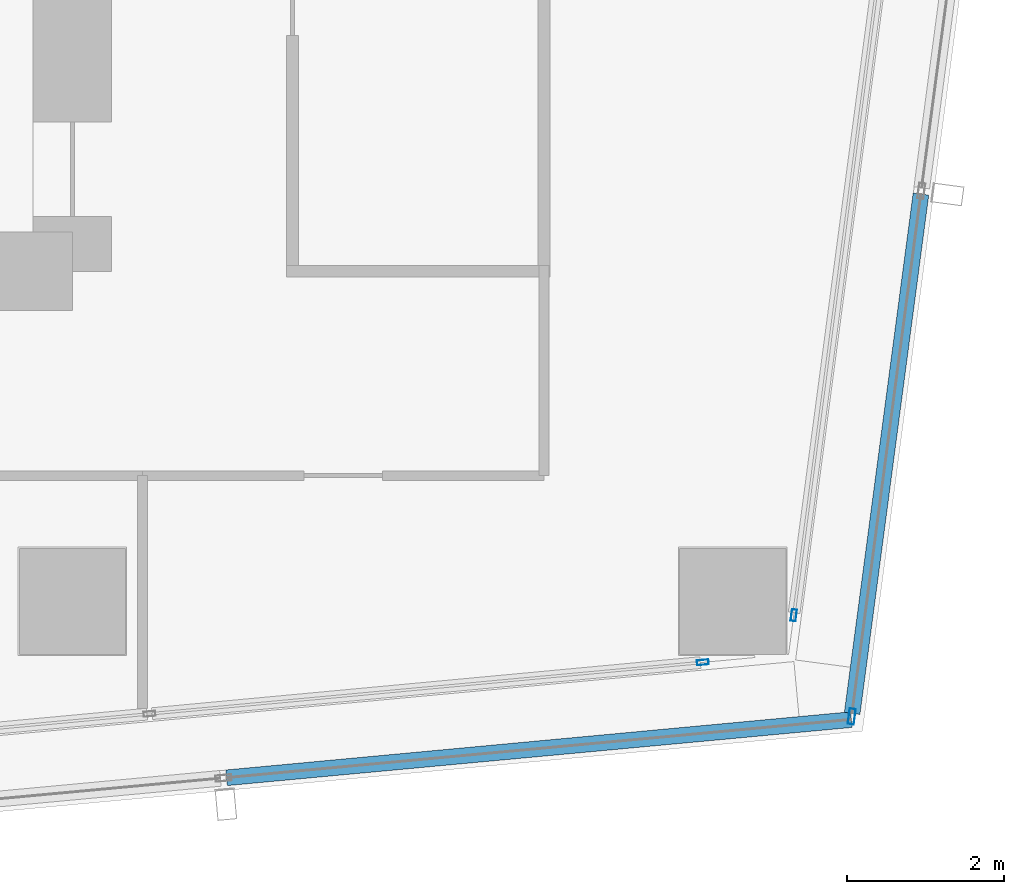
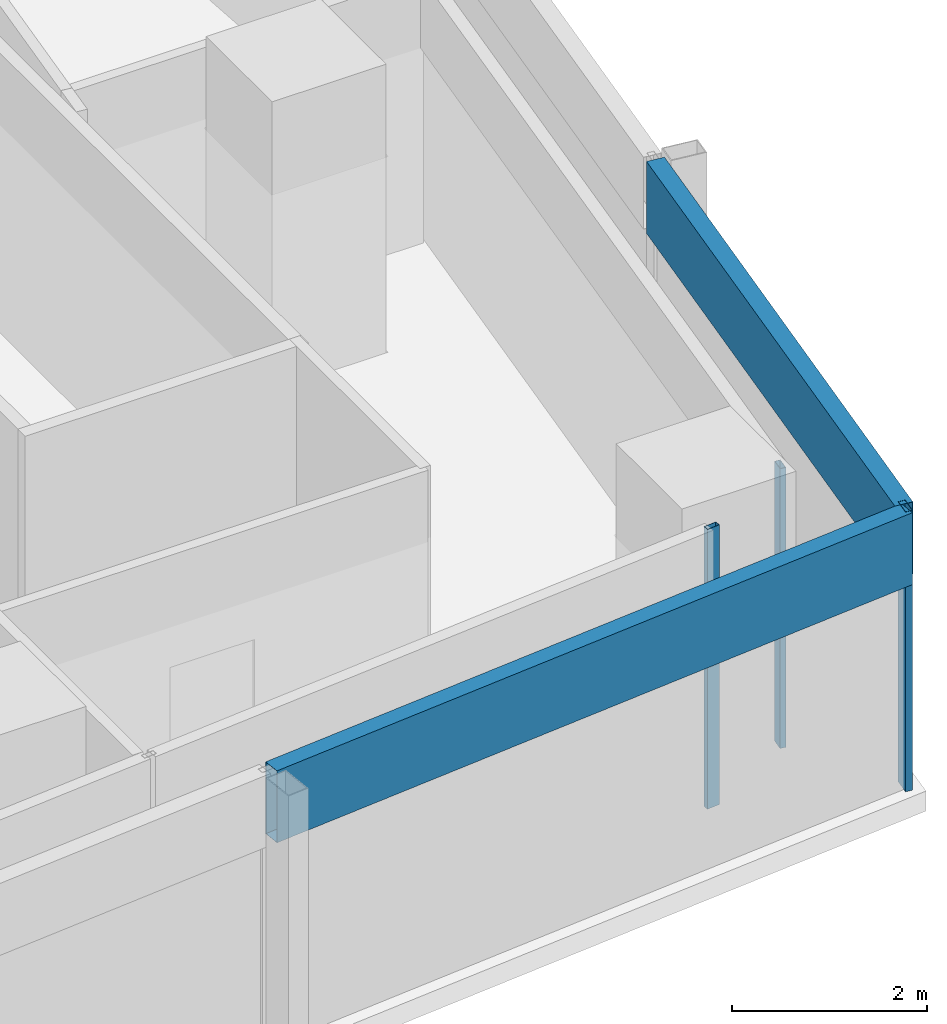
# One storey, part 12 of 38: 5 members, 4 elements without a shape of their own.
"""IFC4 building model written with IfcOpenShell, lengths in metres."""

from ifc_helpers import new_model, si_unit, direction, frame, origin, origin_2d, place, context, subcontext, project, spatial, hollow_rectangle, extrude, material, material_profile, profile_set, type_object, element, aggregate, save


model = new_model("IFC4")

# Units and contexts
model_context = context("Model", 3, precision=1e-05, world=origin(), true_north=direction((0.0, 1.0)))
body_context = subcontext(model_context, "Body", "Model", "MODEL_VIEW")
ifc_project = project(units=[si_unit("LENGTHUNIT", "METRE"), si_unit("AREAUNIT", "SQUARE_METRE"), si_unit("VOLUMEUNIT", "CUBIC_METRE"), si_unit("PLANEANGLEUNIT", "RADIAN"), si_unit("MASSUNIT", "GRAM", prefix="KILO")], contexts=[model_context])

# Site, building, storey
site_placement = place(None, origin())
site = spatial("IfcSite", under=ifc_project, at=site_placement, CompositionType="ELEMENT")
building_placement = place(site_placement, origin())
building = spatial("IfcBuilding", under=site, at=building_placement, Name="Rekha Terrace Tower", CompositionType="ELEMENT")
storey_placement = place(building_placement, frame((0.0, 0.0, 198.949951171875)))
storey = spatial("IfcBuildingStorey", under=building, at=storey_placement, Name="L50", CompositionType="ELEMENT", Elevation=198.949951171875)

# Curtain wall, member
ifc_material_1 = material(Name="Aluminium framing", Category="aluminium")
curtain_wall_type_1 = type_object("IfcCurtainWallType", Name="CW1 double skin inner glazing", PredefinedType="USERDEFINED", material=ifc_material_1)
curtain_wall_1_placement = place(storey_placement, origin())
curtain_wall_1 = element("IfcCurtainWall", 1, at=curtain_wall_1_placement, inside=storey, type_object=curtain_wall_type_1, Name="CW1 double skin inner glazing", ObjectType="DOUBLE SKIN INNER GLAZING", PredefinedType="USERDEFINED")
ifc_material_2 = material(Name="Aluminium mullion section", Category="aluminium")
ifc_material_profile_1 = material_profile(ifc_material_2, hollow_rectangle(XDim=0.06494140625, YDim=0.14990234375, WallThickness=0.00390625, at=origin_2d()), Name="AL RHS 65x150")
ifc_profile_set_1 = profile_set([ifc_material_profile_1], Name="Aluminium mullion section")
member_type_1 = type_object("IfcMemberType", Name="CW1 mullion RHS 65 x 150", PredefinedType="MULLION", material=ifc_profile_set_1)
member_1_placement = place(storey_placement, frame((58.419677734375, 16.025634765625, 0.0), z_axis=(0.0, 0.0, 1.0), x_axis=(-0.092708869564, 0.995693258742, 0.0)))
member_1 = element("IfcMember", 2, at=member_1_placement, type_object=member_type_1, Name="CW1 mullion 3", PredefinedType="MULLION", context=body_context, shape_type="SweptSolid", body=[
    extrude(hollow_rectangle(XDim=0.06494140625, YDim=0.14990234375, WallThickness=0.00390625, at=origin_2d()), origin(), (0.0, 0.0, 1.0), 3.5),
])
aggregate(curtain_wall_1, [member_1])

curtain_wall_2_placement = place(storey_placement, origin())
curtain_wall_2 = element("IfcCurtainWall", 3, at=curtain_wall_2_placement, inside=storey, type_object=curtain_wall_type_1, Name="CW1 double skin inner glazing", ObjectType="DOUBLE SKIN INNER GLAZING", PredefinedType="USERDEFINED")
member_2_placement = place(storey_placement, frame((59.576171875, 16.624755859375, 0.0), z_axis=(0.0, 0.0, 1.0), x_axis=(-0.991342203185, 0.131303603093, 0.0)))
member_2 = element("IfcMember", 4, at=member_2_placement, type_object=member_type_1, Name="CW1 mullion 1", PredefinedType="MULLION", context=body_context, shape_type="SweptSolid", body=[
    extrude(hollow_rectangle(XDim=0.06494140625, YDim=0.14990234375, WallThickness=0.00390625, at=origin_2d()), origin(), (0.0, 0.0, 1.0), 3.5),
])
aggregate(curtain_wall_2, [member_2])

curtain_wall_type_2 = type_object("IfcCurtainWallType", Name="CW2 double skin outer glazing", PredefinedType="USERDEFINED", material=ifc_material_1)
curtain_wall_3_placement = place(storey_placement, origin())
curtain_wall_3 = element("IfcCurtainWall", 5, at=curtain_wall_3_placement, inside=storey, type_object=curtain_wall_type_2, Name="CW2 double skin outer glazing", ObjectType="DOUBLE SKIN OUTER GLAZING", PredefinedType="USERDEFINED")
ifc_material_profile_2 = material_profile(ifc_material_2, hollow_rectangle(XDim=0.080078125, YDim=0.199951171875, WallThickness=0.00390625, at=origin_2d()), Name="AL RHS 80x200")
ifc_profile_set_2 = profile_set([ifc_material_profile_2], Name="Aluminium mullion section")
member_type_2 = type_object("IfcMemberType", Name="CW2 mullion RHS 80 x 200", PredefinedType="MULLION", material=ifc_profile_set_2)
member_3_placement = place(storey_placement, frame((60.3134765625, 15.337158203125, 0.0), z_axis=(0.0, 0.0, 1.0), x_axis=(-0.991342203187, 0.131303603075, 0.0)))
member_3 = element("IfcMember", 6, at=member_3_placement, type_object=member_type_2, Name="CW2 mullion 1", PredefinedType="MULLION", context=body_context, shape_type="SweptSolid", body=[
    extrude(hollow_rectangle(XDim=0.080078125, YDim=0.199951171875, WallThickness=0.00390625, at=origin_2d()), origin(), (0.0, 0.0, 1.0), 3.5),
])

curtain_wall_4_placement = place(storey_placement, origin())
curtain_wall_4 = element("IfcCurtainWall", 7, at=curtain_wall_4_placement, inside=storey, type_object=curtain_wall_type_2, Name="CW2 double skin outer glazing", ObjectType="DOUBLE SKIN OUTER GLAZING", PredefinedType="USERDEFINED")
ifc_material_3 = material(Name="Insulated aluminium spandrel box", Category="aluminium")
ifc_material_profile_3 = material_profile(ifc_material_3, hollow_rectangle(XDim=0.199951171875, YDim=0.89990234375, WallThickness=0.0029296875, at=origin_2d()), Name="AL SPANDREL BOX 200x900")
ifc_profile_set_3 = profile_set([ifc_material_profile_3], Name="Insulated aluminium spandrel box")
member_type_3 = type_object("IfcMemberType", Name="CW2 spandrel transom 200 x 900", PredefinedType="USERDEFINED", material=ifc_profile_set_3)
member_4_placement = place(storey_placement, frame((52.36181640625, 14.5576171875, 3.050048828125), z_axis=(0.99569478362, 0.092692490917, 0.0), x_axis=(-0.092692490917, 0.99569478362, 0.0)))
member_4 = element("IfcMember", 8, at=member_4_placement, type_object=member_type_3, Name="CW2 spandrel transom 2", ObjectType="TRANSOM", PredefinedType="USERDEFINED", context=body_context, shape_type="SweptSolid", body=[
    extrude(hollow_rectangle(XDim=0.199951171875, YDim=0.89990234375, WallThickness=0.0029296875, at=origin_2d()), origin(), (0.0, 0.0, 1.0), 7.980712890625),
])
aggregate(curtain_wall_4, [member_4])

# Member
member_5_placement = place(storey_placement, frame((60.318603515625, 15.376708984375, 3.050048828125), z_axis=(0.131318864981, 0.991340181623, 0.0), x_axis=(-0.991340181623, 0.131318864981, 0.0)))
member_5 = element("IfcMember", 9, at=member_5_placement, type_object=member_type_3, Name="CW2 spandrel transom 1", ObjectType="TRANSOM", PredefinedType="USERDEFINED", context=body_context, shape_type="SweptSolid", body=[
    extrude(hollow_rectangle(XDim=0.199951171875, YDim=0.89990234375, WallThickness=0.0029296875, at=origin_2d()), origin(), (0.0, 0.0, 1.0), 6.6630859375),
])

aggregate(curtain_wall_3, [member_3, member_5])

save(model, "model.ifc")
